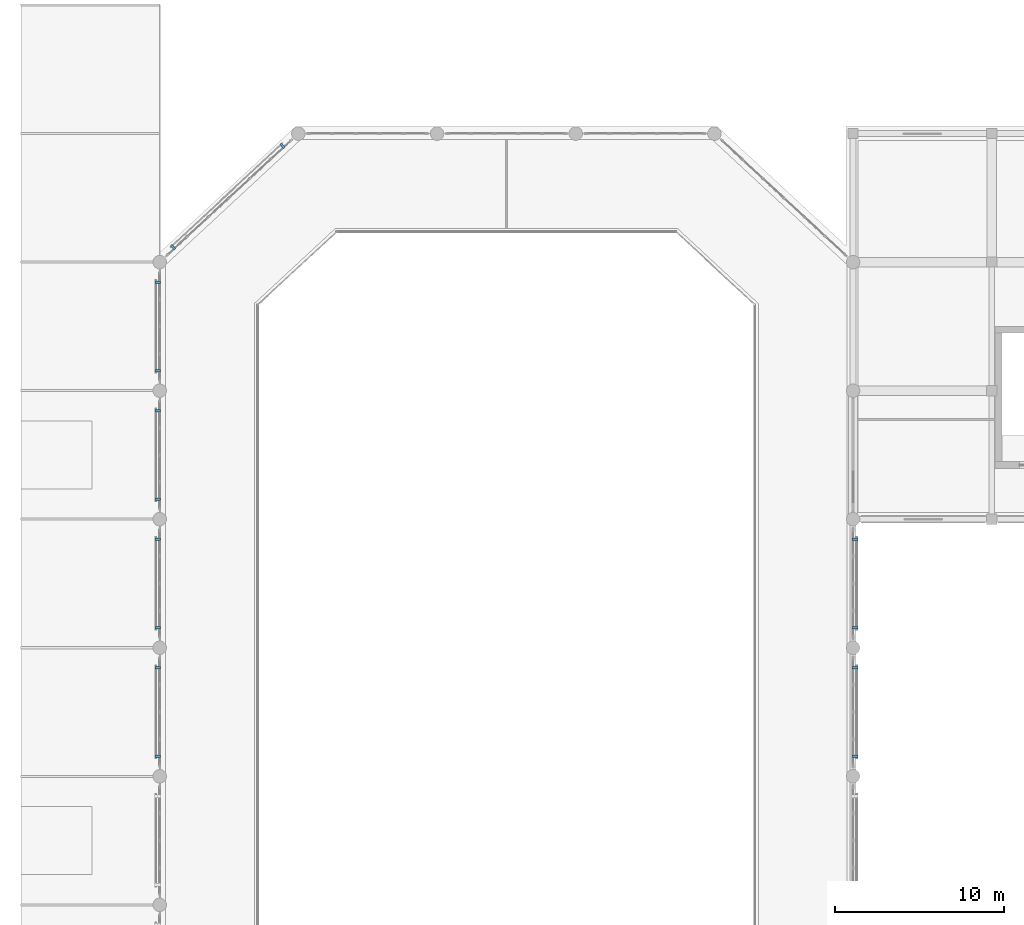
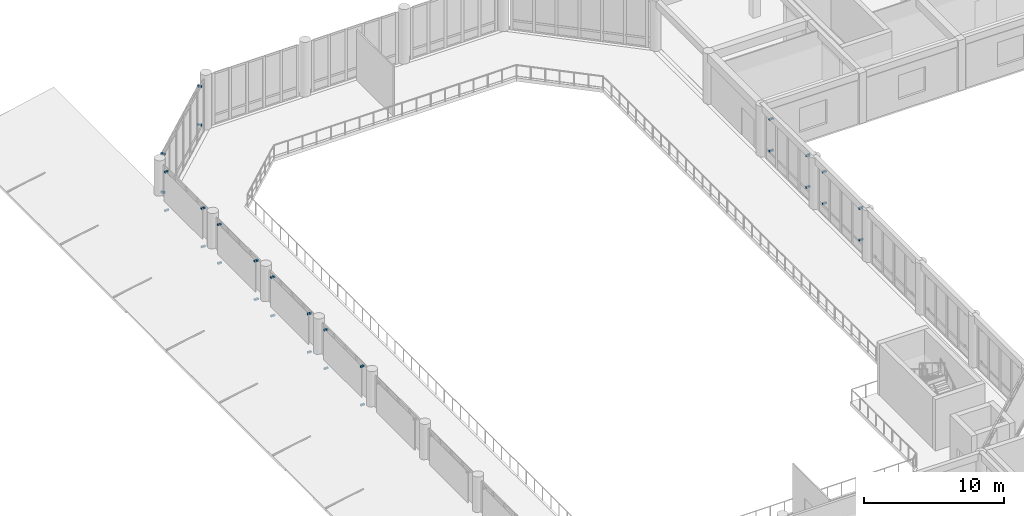
# One storey, part 47 of 57: 28 discrete accessories.
"""IFC4 building model written with IfcOpenShell, lengths in metres."""

from ifc_helpers import new_model, si_unit, direction, frame, origin, origin_2d, place, context, subcontext, project, spatial, rectangle, extrude, material, type_object, element, save


model = new_model("IFC4")

# Units and contexts
model_context = context("Model", 3, precision=1e-05, world=origin(), true_north=direction((0.0, 1.0)))
body_context = subcontext(model_context, "Body", "Model", "MODEL_VIEW")
ifc_project = project(units=[si_unit("LENGTHUNIT", "METRE"), si_unit("AREAUNIT", "SQUARE_METRE"), si_unit("VOLUMEUNIT", "CUBIC_METRE"), si_unit("PLANEANGLEUNIT", "RADIAN"), si_unit("MASSUNIT", "GRAM", prefix="KILO")], contexts=[model_context])

# Site, building, storey
site_placement = place(None, origin())
site = spatial("IfcSite", under=ifc_project, at=site_placement, CompositionType="ELEMENT")
building_placement = place(site_placement, origin())
building = spatial("IfcBuilding", under=site, at=building_placement, Name="Qandaris Square Conservatory and Botanical Centre", CompositionType="ELEMENT")
storey_placement = place(building_placement, frame((0.0, 0.0, 5.39990234375)))
storey = spatial("IfcBuildingStorey", under=building, at=storey_placement, Name="L01", CompositionType="ELEMENT", Elevation=5.39990234375)

# Discrete accessories
ifc_material = material(Name="Steel S355", Category="steel")
discrete_accessory_type = type_object("IfcDiscreteAccessoryType", Name="Mashrabiya Support Outrigger Bracket", PredefinedType="BRACKET", material=ifc_material)
for number, where, z_axis, x_axis, name in (
    (1, (57.31005859375, 78.580078125, 0.900390625), (0.0, 0.0, 1.0), (0.0, 1.0, 0.0), "Mashrabiya Bracket CW-CON-L01-3-4-BRK-6-64"),
    (2, (57.31005859375, 78.580078125, 3.669921875), (0.0, 0.0, 1.0), (0.0, 1.0, 0.0), "Mashrabiya Bracket CW-CON-L01-3-4-BRK-6-91"),
    (3, (57.31005859375, 83.820068359375, 0.900390625), (0.0, 0.0, 1.0), (0.0, 1.0, 0.0), "Mashrabiya Bracket CW-CON-L01-3-4-BRK-58-64"),
    (4, (57.31005859375, 83.820068359375, 3.669921875), (0.0, 0.0, 1.0), (0.0, 1.0, 0.0), "Mashrabiya Bracket CW-CON-L01-3-4-BRK-58-91"),
    (5, (57.31005859375, 86.179931640625, 0.900390625), (0.0, 0.0, 1.0), (0.0, 1.0, 0.0), "Mashrabiya Bracket CW-CON-L01-3-5-BRK-6-64"),
    (6, (57.31005859375, 86.179931640625, 3.669921875), (0.0, 0.0, 1.0), (0.0, 1.0, 0.0), "Mashrabiya Bracket CW-CON-L01-3-5-BRK-6-91"),
    (7, (57.31005859375, 91.419921875, 0.900390625), (0.0, 0.0, 1.0), (0.0, 1.0, 0.0), "Mashrabiya Bracket CW-CON-L01-3-5-BRK-58-64"),
    (8, (57.31005859375, 91.419921875, 3.669921875), (0.0, 0.0, 1.0), (0.0, 1.0, 0.0), "Mashrabiya Bracket CW-CON-L01-3-5-BRK-58-91"),
    (9, (23.459716796875, 114.678466796875, 0.900390625), (0.0, 0.0, 1.0), (-0.733432966404, -0.679761784592, 0.0), "Mashrabiya Bracket CW-CON-L01-6-1-BRK-6-64"),
    (10, (23.459716796875, 114.678466796875, 4.27001953125), (0.0, 0.0, 1.0), (-0.733432966404, -0.679761784592, 0.0), "Mashrabiya Bracket CW-CON-L01-6-1-BRK-6-97"),
    (11, (16.99072265625, 108.682861328125, 0.900390625), (0.0, 0.0, 1.0), (-0.733432966404, -0.679761784592, 0.0), "Mashrabiya Bracket CW-CON-L01-6-1-BRK-94-64"),
    (12, (16.99072265625, 108.682861328125, 4.27001953125), (0.0, 0.0, 1.0), (-0.733432966404, -0.679761784592, 0.0), "Mashrabiya Bracket CW-CON-L01-6-1-BRK-94-97"),
    (13, (16.090087890625, 106.6201171875, 0.900390625), (0.0, 0.0, 1.0), (0.0, -1.0, 0.0), "Mashrabiya Bracket CW-CON-L01-7-1-BRK-6-64"),
    (14, (16.090087890625, 106.6201171875, 4.27001953125), (0.0, 0.0, 1.0), (0.0, -1.0, 0.0), "Mashrabiya Bracket CW-CON-L01-7-1-BRK-6-97"),
    (15, (16.090087890625, 101.3798828125, 0.900390625), (0.0, 0.0, 1.0), (0.0, -1.0, 0.0), "Mashrabiya Bracket CW-CON-L01-7-1-BRK-58-64"),
    (16, (16.090087890625, 101.3798828125, 4.27001953125), (0.0, 0.0, 1.0), (0.0, -1.0, 0.0), "Mashrabiya Bracket CW-CON-L01-7-1-BRK-58-97"),
    (17, (16.090087890625, 99.02001953125, 0.900390625), (0.0, 0.0, 1.0), (0.0, -1.0, 0.0), "Mashrabiya Bracket CW-CON-L01-7-2-BRK-6-64"),
    (18, (16.090087890625, 99.02001953125, 4.27001953125), (0.0, 0.0, 1.0), (0.0, -1.0, 0.0), "Mashrabiya Bracket CW-CON-L01-7-2-BRK-6-97"),
    (19, (16.090087890625, 93.780029296875, 0.900390625), (0.0, 0.0, 1.0), (0.0, -1.0, 0.0), "Mashrabiya Bracket CW-CON-L01-7-2-BRK-58-64"),
    (20, (16.090087890625, 93.780029296875, 4.27001953125), (0.0, 0.0, 1.0), (0.0, -1.0, 0.0), "Mashrabiya Bracket CW-CON-L01-7-2-BRK-58-97"),
    (21, (16.090087890625, 91.419921875, 0.900390625), (0.0, 0.0, 1.0), (0.0, -1.0, 0.0), "Mashrabiya Bracket CW-CON-L01-7-3-BRK-6-64"),
    (22, (16.090087890625, 91.419921875, 4.27001953125), (0.0, 0.0, 1.0), (0.0, -1.0, 0.0), "Mashrabiya Bracket CW-CON-L01-7-3-BRK-6-97"),
    (23, (16.090087890625, 86.179931640625, 0.900390625), (0.0, 0.0, 1.0), (0.0, -1.0, 0.0), "Mashrabiya Bracket CW-CON-L01-7-3-BRK-58-64"),
    (24, (16.090087890625, 86.179931640625, 4.27001953125), (0.0, 0.0, 1.0), (0.0, -1.0, 0.0), "Mashrabiya Bracket CW-CON-L01-7-3-BRK-58-97"),
    (25, (16.090087890625, 83.820068359375, 0.900390625), (0.0, 0.0, 1.0), (0.0, -1.0, 0.0), "Mashrabiya Bracket CW-CON-L01-7-4-BRK-6-64"),
    (26, (16.090087890625, 83.820068359375, 4.27001953125), (0.0, 0.0, 1.0), (0.0, -1.0, 0.0), "Mashrabiya Bracket CW-CON-L01-7-4-BRK-6-97"),
    (27, (16.090087890625, 78.580078125, 0.900390625), (0.0, 0.0, 1.0), (0.0, -1.0, 0.0), "Mashrabiya Bracket CW-CON-L01-7-4-BRK-58-64"),
    (28, (16.090087890625, 78.580078125, 4.27001953125), (0.0, 0.0, 1.0), (0.0, -1.0, 0.0), "Mashrabiya Bracket CW-CON-L01-7-4-BRK-58-97"),
):
    element("IfcDiscreteAccessory", number, at=place(storey_placement, frame(where, z_axis=z_axis, x_axis=x_axis)), inside=storey, type_object=discrete_accessory_type, Name=name, PredefinedType="BRACKET", context=body_context, shape_type="SweptSolid", body=[
        extrude(rectangle(XDim=0.139892578125, YDim=0.340087890625, at=origin_2d()), origin(), (0.0, 0.0, 1.0), 0.139892578125),
    ])

save(model, "model.ifc")
